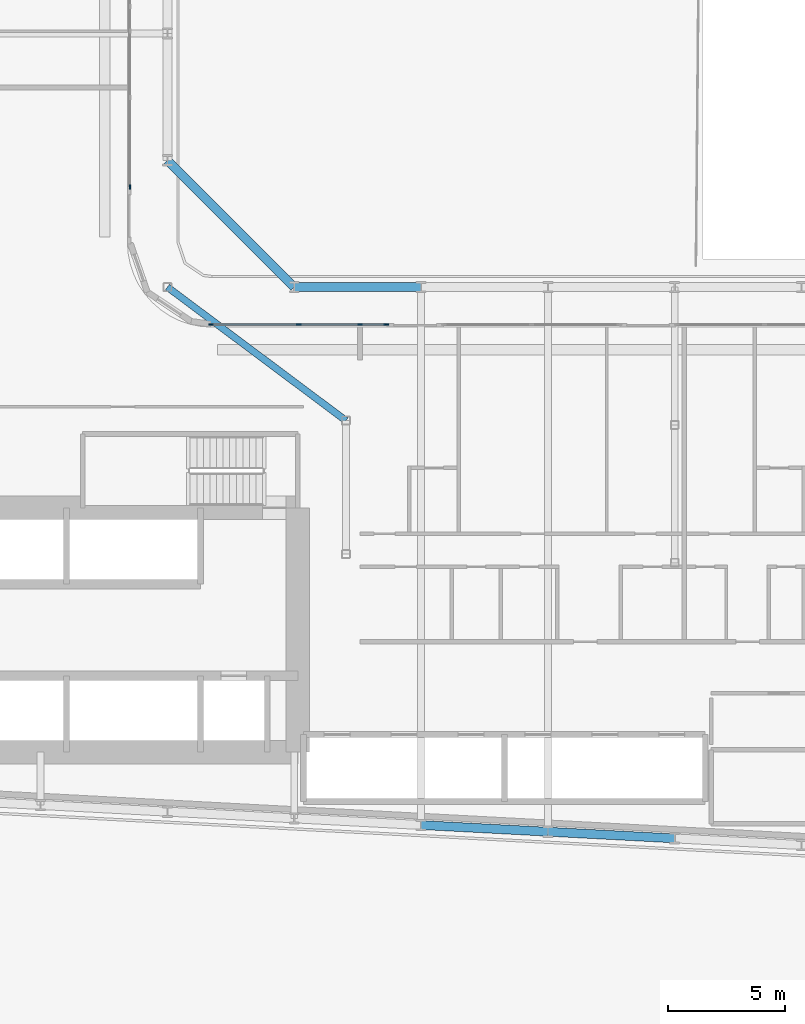
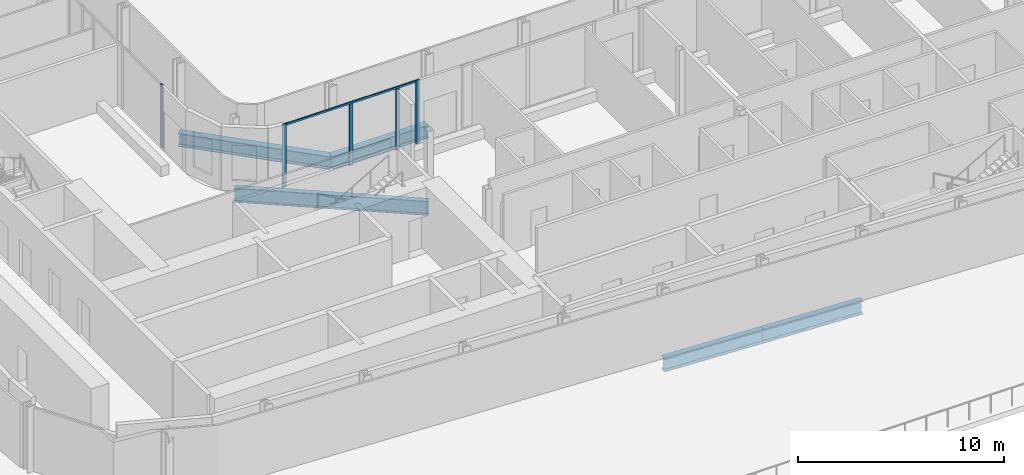
# One storey, part 4 of 27: 6 members, 5 beams, 2 elements without a shape of their own.
"""IFC4 building model written with IfcOpenShell, lengths in metres."""

import ifcopenshell
import ifcopenshell.guid

model = None  # the IFC model being written
_history = None  # IfcOwnerHistory: only IFC2X3 demands one
_inside = {}  # id of a spatial element -> (the spatial element, [elements in it])
_under = {}  # id of a project, library or spatial element -> (it, [spatial elements below it])
_declared = {}  # id of a project -> (the project, [libraries it declares])
_typed = {}  # id of a type object -> (the type object, [elements of that type])
_made_of = {}  # id of a material, layer set ... -> (it, [elements and type objects made of it])


def new_model(schema):
    """Start an empty IFC model of exactly this schema.

    Asked for "IFC4X3", IfcOpenShell would pick the latest addendum, in which some entities
    have other attributes; the version numbers below select the first issue.
    IFC2X3 requires an IfcOwnerHistory on every rooted entity: one is made here for all.
    """
    global model, _history
    if schema == "IFC4X3":
        model = ifcopenshell.file(schema_version=(4, 3, 0, 0))
    else:
        model = ifcopenshell.file(schema=schema)
    _inside.clear()
    _under.clear()
    _declared.clear()
    _typed.clear()
    _made_of.clear()
    _history = None
    if model.schema == "IFC2X3":
        org = make("IfcOrganization", Name="unknown")
        user = make(
            "IfcPersonAndOrganization",
            ThePerson=make("IfcPerson", FamilyName="unknown"),
            TheOrganization=org,
        )
        app = make(
            "IfcApplication",
            ApplicationDeveloper=org,
            Version="unknown",
            ApplicationFullName="unknown",
            ApplicationIdentifier="unknown",
        )
        _history = make(
            "IfcOwnerHistory",
            OwningUser=user,
            OwningApplication=app,
            ChangeAction="ADDED",
            CreationDate=0,
        )
    return model


def make(cls, **values):
    """One entity of the class cls with the attributes given. An attribute that is None is left unset."""
    return model.create_entity(
        cls, **{name: value for name, value in values.items() if value is not None}
    )


def rooted(cls, **values):
    """An entity with a GlobalId (a new one), such as an element, a storey or a relation."""
    return make(cls, GlobalId=ifcopenshell.guid.new(), OwnerHistory=_history, **values)


def si_unit(unit_type, name, prefix=None):
    """IfcSIUnit, for example si_unit("LENGTHUNIT", "METRE", prefix="MILLI")."""
    return make("IfcSIUnit", UnitType=unit_type, Prefix=prefix, Name=name)


def assignment(units):
    """IfcUnitAssignment: the units of a project."""
    return None if units is None else make("IfcUnitAssignment", Units=units)


def point(xyz):
    """IfcCartesianPoint."""
    return None if xyz is None else make("IfcCartesianPoint", Coordinates=xyz)


def direction(xyz):
    """IfcDirection."""
    return None if xyz is None else make("IfcDirection", DirectionRatios=xyz)


def frame(location, z_axis=None, x_axis=None):
    """IfcAxis2Placement3D, a coordinate frame: its origin and axes. An axis left out is left unset."""
    return make(
        "IfcAxis2Placement3D",
        Location=point(location),
        Axis=direction(z_axis),
        RefDirection=direction(x_axis),
    )


def frame_2d(location, x_axis=None):
    """IfcAxis2Placement2D, a coordinate frame in the plane: its origin and x axis."""
    return make(
        "IfcAxis2Placement2D", Location=point(location), RefDirection=direction(x_axis)
    )


def origin():
    """The frame at (0, 0, 0) with its axes left unset."""
    return frame((0.0, 0.0, 0.0))


def origin_2d():
    """The frame at (0, 0) in the plane with its x axis left unset."""
    return frame_2d((0.0, 0.0))


def place(relative_to, where):
    """IfcLocalPlacement: puts the frame where relative to a parent placement (None: the world)."""
    return make(
        "IfcLocalPlacement", PlacementRelTo=relative_to, RelativePlacement=where
    )


def context(
    kind, dimensions, precision=None, world=None, true_north=None, identifier=None
):
    """IfcGeometricRepresentationContext, for example the 3D "Model" context."""
    return make(
        "IfcGeometricRepresentationContext",
        ContextIdentifier=identifier,
        ContextType=kind,
        CoordinateSpaceDimension=dimensions,
        Precision=precision,
        WorldCoordinateSystem=world,
        TrueNorth=true_north,
    )


def subcontext(parent, identifier, kind, view, scale=None):
    """IfcGeometricRepresentationSubContext, for example "Body" below "Model"."""
    return make(
        "IfcGeometricRepresentationSubContext",
        ContextIdentifier=identifier,
        ContextType=kind,
        ParentContext=parent,
        TargetScale=scale,
        TargetView=view,
    )


def project(units=None, contexts=None):
    """IfcProject with its units and contexts."""
    return rooted(
        "IfcProject",
        Name="project",
        RepresentationContexts=contexts,
        UnitsInContext=assignment(units),
    )


def spatial(cls, under=None, at=None, **own):
    """A site, building, storey or space (cls), placed at a placement, below another one or the project."""
    s = rooted(cls, ObjectPlacement=at, **own)
    if under is not None:
        _under.setdefault(under.id(), (under, []))[1].append(s)
    return s


def profile(cls, at=None, kind="AREA", **sizes):
    """A parametric profile (cls). Its sizes go by their IFC names, for example OverallWidth=200.0."""
    return make(cls, ProfileType=kind, Position=at, **sizes)


def rectangle(**sizes):
    """IfcRectangleProfileDef."""
    return profile("IfcRectangleProfileDef", **sizes)


def i_section(**sizes):
    """IfcIShapeProfileDef."""
    return profile("IfcIShapeProfileDef", **sizes)


def extrude(swept, where, along, depth):
    """IfcExtrudedAreaSolid: the profile swept, set in the frame where, extruded along a direction by depth."""
    return make(
        "IfcExtrudedAreaSolid",
        SweptArea=swept,
        Position=where,
        ExtrudedDirection=direction(along),
        Depth=depth,
    )


def shape(context_of_items, identifier, shape_type, items):
    """IfcShapeRepresentation: the items that make up one representation, for example the "Body"."""
    return make(
        "IfcShapeRepresentation",
        ContextOfItems=context_of_items,
        RepresentationIdentifier=identifier,
        RepresentationType=shape_type,
        Items=items,
    )


def material(Name=None, Category=None):
    """IfcMaterial."""
    return make("IfcMaterial", Name=Name, Category=Category)


def layer(
    of_material, thickness, ventilated=None, Name=None, Category=None, Priority=None
):
    """IfcMaterialLayer: one layer of a wall or slab, of a material (None: an air gap)."""
    return make(
        "IfcMaterialLayer",
        Material=of_material,
        LayerThickness=thickness,
        IsVentilated=ventilated,
        Name=Name,
        Category=Category,
        Priority=Priority,
    )


def layer_set(layers, Name=None):
    """IfcMaterialLayerSet."""
    return make("IfcMaterialLayerSet", MaterialLayers=layers, LayerSetName=Name)


def material_profile(
    of_material, cross_section, Name=None, Category=None, Priority=None
):
    """IfcMaterialProfile: a cross section and its material."""
    return make(
        "IfcMaterialProfile",
        Name=Name,
        Material=of_material,
        Profile=cross_section,
        Priority=Priority,
        Category=Category,
    )


def profile_set(profiles, Name=None, composite=None):
    """IfcMaterialProfileSet."""
    return make(
        "IfcMaterialProfileSet",
        Name=Name,
        MaterialProfiles=profiles,
        CompositeProfile=composite,
    )


def made_of(thing, what):
    """Note that an element or type object is made of a material, layer set ...; save() writes the relation."""
    if what is not None:
        _made_of.setdefault(what.id(), (what, []))[1].append(thing)
    return thing


def type_object(cls, material=None, **own):
    """A type object (cls), such as IfcWallType, which elements share."""
    return made_of(rooted(cls, **own), material)


def element(
    cls,
    number,
    at=None,
    inside=None,
    cuts=None,
    type_object=None,
    material=None,
    context=None,
    identifier="Body",
    shape_type=None,
    held_by="IfcProductDefinitionShape",
    body=None,
    shapes=None,
    **own,
):
    """One element of the class cls, such as IfcWall. Its Tag is "e" and its number.

    at: its placement. inside: the storey or other place that contains it. cuts: it is an
    opening in that element (IfcRelVoidsElement). A single representation is given by context,
    identifier, shape_type and body (its items); several are given by shapes. held_by: the class
    of the entity that holds the representations. save() writes the other relations.
    """
    e = rooted(cls, Tag="e%d" % number, ObjectPlacement=at, **own)
    if body is not None:
        shapes = [shape(context, identifier, shape_type, body)]
    if shapes is not None:
        e.Representation = make(held_by, Representations=shapes)
    if inside is not None:
        _inside.setdefault(inside.id(), (inside, []))[1].append(e)
    if cuts is not None:
        rooted(
            "IfcRelVoidsElement", RelatingBuildingElement=cuts, RelatedOpeningElement=e
        )
    if type_object is not None:
        _typed.setdefault(type_object.id(), (type_object, []))[1].append(e)
    return made_of(e, material)


def aggregate(whole, parts):
    """IfcRelAggregates: a whole, such as a stair, and the parts it consists of."""
    return rooted("IfcRelAggregates", RelatingObject=whole, RelatedObjects=parts)


def save(model, path):
    """Write the relations noted so far, then the file.

    IfcRelAggregates (storeys below a building ...), IfcRelContainedInSpatialStructure (elements
    in a storey), IfcRelDefinesByType, IfcRelAssociatesMaterial and IfcRelDeclares: one each for
    every whole, place, type object, material and project.
    """
    for whole, parts in _under.values():
        aggregate(whole, parts)
    for where, things in _inside.values():
        rooted(
            "IfcRelContainedInSpatialStructure",
            RelatedElements=things,
            RelatingStructure=where,
        )
    for kind, things in _typed.values():
        rooted("IfcRelDefinesByType", RelatedObjects=things, RelatingType=kind)
    for what, things in _made_of.values():
        rooted("IfcRelAssociatesMaterial", RelatedObjects=things, RelatingMaterial=what)
    for by, libraries in _declared.values():
        rooted("IfcRelDeclares", RelatingContext=by, RelatedDefinitions=libraries)
    model.write(path)


model = new_model("IFC4")

# Units and contexts
model_context = context("Model", 3, precision=1e-05, world=origin(), true_north=direction((0.0, 1.0)))
body_context = subcontext(model_context, "Body", "Model", "MODEL_VIEW")
ifc_project = project(units=[si_unit("LENGTHUNIT", "METRE"), si_unit("AREAUNIT", "SQUARE_METRE"), si_unit("VOLUMEUNIT", "CUBIC_METRE"), si_unit("PLANEANGLEUNIT", "RADIAN"), si_unit("MASSUNIT", "GRAM", prefix="KILO")], contexts=[model_context])

# Site, building, storey
site_placement = place(None, origin())
site = spatial("IfcSite", under=ifc_project, at=site_placement, CompositionType="ELEMENT")
building_placement = place(site_placement, origin())
building = spatial("IfcBuilding", under=site, at=building_placement, Name="Kheshtan School and Residences Tower", CompositionType="ELEMENT")
storey_placement = place(building_placement, frame((0.0, 0.0, 30.5)))
storey = spatial("IfcBuildingStorey", under=building, at=storey_placement, Name="L06", CompositionType="ELEMENT", Elevation=30.5)

# Beams
ifc_material_1 = material(Name="Steel ASTM A992 Grade 50", Category="steel")
ifc_material_profile_1 = material_profile(ifc_material_1, i_section(OverallWidth=0.2919921875, OverallDepth=0.8349609375, WebThickness=0.013916015625, FlangeThickness=0.018798828125, FilletRadius=0.016845703125, at=origin_2d()), Name="W840x176")
ifc_profile_set_1 = profile_set([ifc_material_profile_1], Name="Steel ASTM A992 Grade 50")
beam_type_1 = type_object("IfcBeamType", Name="Beam FB8 W840x176 ASTM A992 Grade 50", PredefinedType="BEAM", material=ifc_profile_set_1)
beam_1_placement = place(storey_placement, frame((47.60009765625, 45.60009765625, -0.717529296875), z_axis=(0.800798828004, -0.598933416222, 0.0), x_axis=(0.598933416222, 0.800798828004, 0.0)))
element("IfcBeam", 1, at=beam_1_placement, inside=storey, type_object=beam_type_1, Name="Floor beam IC", PredefinedType="BEAM", context=body_context, shape_type="SweptSolid", body=[
    extrude(i_section(OverallWidth=0.2919921875, OverallDepth=0.8349609375, WebThickness=0.013916015625, FlangeThickness=0.018798828125, FilletRadius=0.016845703125, at=origin_2d()), origin(), (0.0, 0.0, 1.0), 9.490234375),
])
ifc_material_profile_2 = material_profile(ifc_material_1, i_section(OverallWidth=0.381103515625, OverallDepth=0.77294921875, WebThickness=0.0166015625, FlangeThickness=0.027099609375, FilletRadius=0.023193359375, at=origin_2d()), Name="W760x257")
ifc_profile_set_2 = profile_set([ifc_material_profile_2], Name="Steel ASTM A992 Grade 50")
beam_type_2 = type_object("IfcBeamType", Name="Beam SP6 W760x257 ASTM A992 Grade 50", PredefinedType="BEAM", material=ifc_profile_set_2)
beam_2_placement = place(storey_placement, frame((47.60009765625, 51.0, -0.6865234375), z_axis=(0.707106781187, -0.707106781187, 0.0), x_axis=(0.707106781187, 0.707106781187, 0.0)))
element("IfcBeam", 2, at=beam_2_placement, inside=storey, type_object=beam_type_2, Name="Spandrel beam C079-C061", PredefinedType="BEAM", context=body_context, shape_type="SweptSolid", body=[
    extrude(i_section(OverallWidth=0.381103515625, OverallDepth=0.77294921875, WebThickness=0.0166015625, FlangeThickness=0.027099609375, FilletRadius=0.023193359375, at=origin_2d()), origin(), (0.0, 0.0, 1.0), 7.63671875),
])
beam_3_placement = place(storey_placement, frame((53.0, 45.60009765625, -0.6865234375), z_axis=(1.0, 0.0, 0.0), x_axis=(0.0, 1.0, 0.0)))
element("IfcBeam", 3, at=beam_3_placement, inside=storey, type_object=beam_type_2, Name="Spandrel beam C061-C062", PredefinedType="BEAM", context=body_context, shape_type="SweptSolid", body=[
    extrude(i_section(OverallWidth=0.381103515625, OverallDepth=0.77294921875, WebThickness=0.0166015625, FlangeThickness=0.027099609375, FilletRadius=0.023193359375, at=origin_2d()), origin(), (0.0, 0.0, 1.0), 5.39990234375),
])
beam_4_placement = place(storey_placement, frame((69.199951171875, 22.126953125, -0.6865234375), z_axis=(-0.998620447272, 0.05250906864, 0.0), x_axis=(-0.05250906864, -0.998620447272, 0.0)))
element("IfcBeam", 4, at=beam_4_placement, inside=storey, type_object=beam_type_2, Name="Spandrel beam C014-C016", PredefinedType="BEAM", context=body_context, shape_type="SweptSolid", body=[
    extrude(i_section(OverallWidth=0.381103515625, OverallDepth=0.77294921875, WebThickness=0.0166015625, FlangeThickness=0.027099609375, FilletRadius=0.023193359375, at=origin_2d()), origin(), (0.0, 0.0, 1.0), 5.407470703125),
])
beam_5_placement = place(storey_placement, frame((63.800048828125, 22.410888671875, -0.6865234375), z_axis=(-0.998618203458, 0.052551724256, 0.0), x_axis=(-0.052551724256, -0.998618203458, 0.0)))
element("IfcBeam", 5, at=beam_5_placement, inside=storey, type_object=beam_type_2, Name="Spandrel beam C016-C018", PredefinedType="BEAM", context=body_context, shape_type="SweptSolid", body=[
    extrude(i_section(OverallWidth=0.381103515625, OverallDepth=0.77294921875, WebThickness=0.0166015625, FlangeThickness=0.027099609375, FilletRadius=0.023193359375, at=origin_2d()), origin(), (0.0, 0.0, 1.0), 5.40771484375),
])

# Curtain wall, member
ifc_material_2 = material(Name="Clear low-e glass in thermally broken aluminium frame", Category="aluminium")
ifc_layer = layer(ifc_material_2, 0.199951171875)
ifc_layer_set = layer_set([ifc_layer], Name="Curtain wall CW-L")
curtain_wall_type = type_object("IfcCurtainWallType", Name="Curtain wall CW-L", PredefinedType="NOTDEFINED", material=ifc_layer_set)
curtain_wall_1_placement = place(storey_placement, origin())
curtain_wall_1 = element("IfcCurtainWall", 6, at=curtain_wall_1_placement, inside=storey, type_object=curtain_wall_type, Name="Curtain wall CWL8c", PredefinedType="NOTDEFINED")
ifc_material_3 = material(Name="Thermally broken aluminium, dark bronze anodised", Category="aluminium")
ifc_material_profile_3 = material_profile(ifc_material_3, rectangle(XDim=0.06005859375, YDim=0.199951171875, at=origin_2d()), Name="CW-L mullion 60x200")
ifc_profile_set_3 = profile_set([ifc_material_profile_3], Name="Thermally broken aluminium, dark bronze anodised")
member_type_1 = type_object("IfcMemberType", Name="CW-L mullion 60x200", PredefinedType="MULLION", material=ifc_profile_set_3)
member_1_placement = place(storey_placement, frame((46.0, 49.860107421875, 0.0), z_axis=(0.0, 0.0, 1.0), x_axis=(1.0, 0.0, 0.0)))
member_1 = element("IfcMember", 7, at=member_1_placement, type_object=member_type_1, Name="CWL8c mullion 4", PredefinedType="MULLION", context=body_context, shape_type="SweptSolid", body=[
    extrude(rectangle(XDim=0.06005859375, YDim=0.199951171875, at=origin_2d()), origin(), (0.0, 0.0, 1.0), 3.75),
])
aggregate(curtain_wall_1, [member_1])

# Curtain wall, members
curtain_wall_2_placement = place(storey_placement, origin())
curtain_wall_2 = element("IfcCurtainWall", 8, at=curtain_wall_2_placement, inside=storey, type_object=curtain_wall_type, Name="Curtain wall CWL12", PredefinedType="NOTDEFINED")
member_2_placement = place(storey_placement, frame((49.4599609375, 44.0, 0.0), z_axis=(0.0, 0.0, 1.0), x_axis=(0.0, 1.0, 0.0)))
member_2 = element("IfcMember", 9, at=member_2_placement, type_object=member_type_1, Name="CWL12 mullion 1", PredefinedType="MULLION", context=body_context, shape_type="SweptSolid", body=[
    extrude(rectangle(XDim=0.06005859375, YDim=0.199951171875, at=origin_2d()), origin(), (0.0, 0.0, 1.0), 3.75),
])
member_3_placement = place(storey_placement, frame((53.188720703125, 44.0, 0.0), z_axis=(0.0, 0.0, 1.0), x_axis=(0.0, 1.0, 0.0)))
member_3 = element("IfcMember", 10, at=member_3_placement, type_object=member_type_1, Name="CWL12 mullion 2", PredefinedType="MULLION", context=body_context, shape_type="SweptSolid", body=[
    extrude(rectangle(XDim=0.06005859375, YDim=0.199951171875, at=origin_2d()), origin(), (0.0, 0.0, 1.0), 3.6298828125),
])
member_4_placement = place(storey_placement, frame((55.800048828125, 44.0, 0.0), z_axis=(0.0, 0.0, 1.0), x_axis=(0.0, 1.0, 0.0)))
member_4 = element("IfcMember", 11, at=member_4_placement, type_object=member_type_1, Name="CWL12 mullion 3", PredefinedType="MULLION", context=body_context, shape_type="SweptSolid", body=[
    extrude(rectangle(XDim=0.06005859375, YDim=0.199951171875, at=origin_2d()), origin(), (0.0, 0.0, 1.0), 3.6298828125),
])
member_5_placement = place(storey_placement, frame((56.91748046875, 44.0, 0.0), z_axis=(0.0, 0.0, 1.0), x_axis=(0.0, 1.0, 0.0)))
member_5 = element("IfcMember", 12, at=member_5_placement, type_object=member_type_1, Name="CWL12 mullion 4", PredefinedType="MULLION", context=body_context, shape_type="SweptSolid", body=[
    extrude(rectangle(XDim=0.06005859375, YDim=0.199951171875, at=origin_2d()), origin(), (0.0, 0.0, 1.0), 3.75),
])
ifc_material_profile_4 = material_profile(ifc_material_3, rectangle(XDim=0.06005859375, YDim=0.1201171875, at=origin_2d()), Name="CW-L transom 60x120")
ifc_profile_set_4 = profile_set([ifc_material_profile_4], Name="Thermally broken aluminium, dark bronze anodised")
member_type_2 = type_object("IfcMemberType", Name="CW-L transom 60x120", PredefinedType="USERDEFINED", material=ifc_profile_set_4)
member_6_placement = place(storey_placement, frame((49.489990234375, 44.0, 3.68994140625), z_axis=(1.0, 0.0, 0.0), x_axis=(0.0, 1.0, 0.0)))
member_6 = element("IfcMember", 13, at=member_6_placement, type_object=member_type_2, Name="CWL12 transom 1", ObjectType="TRANSOM", PredefinedType="USERDEFINED", context=body_context, shape_type="SweptSolid", body=[
    extrude(rectangle(XDim=0.06005859375, YDim=0.1201171875, at=origin_2d()), origin(), (0.0, 0.0, 1.0), 7.3974609375),
])
aggregate(curtain_wall_2, [member_2, member_3, member_4, member_5, member_6])

save(model, "model.ifc")
